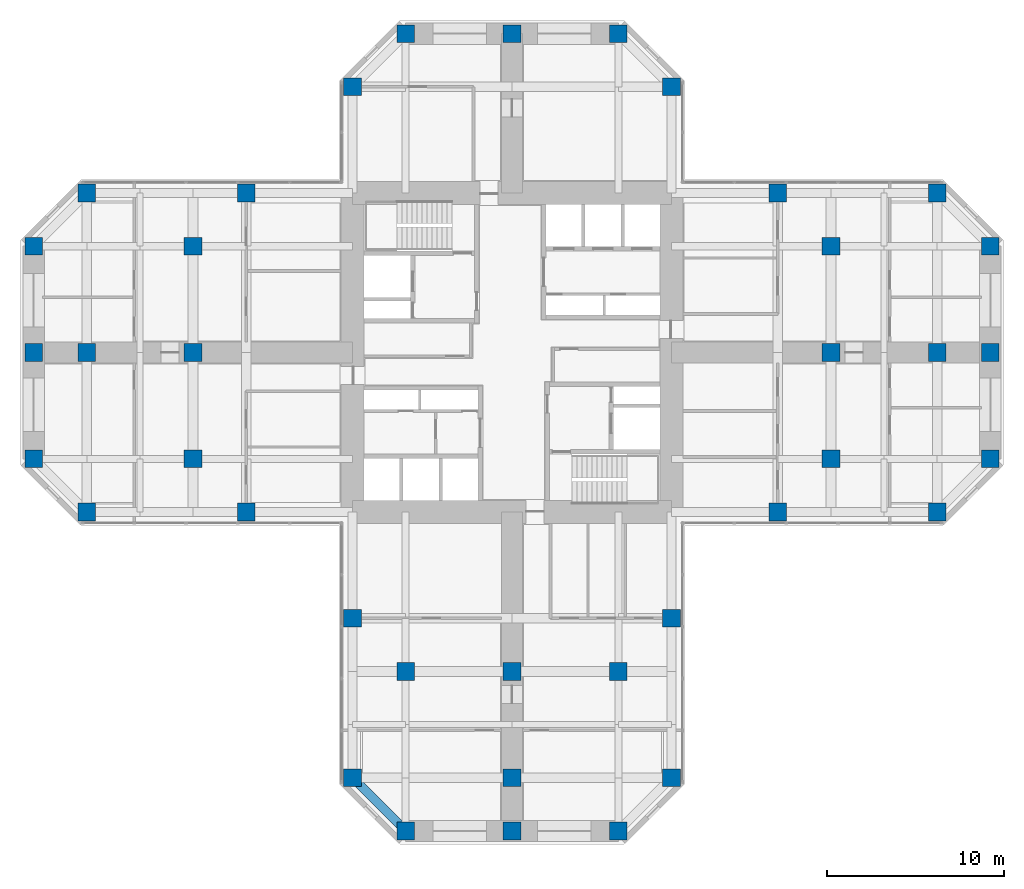
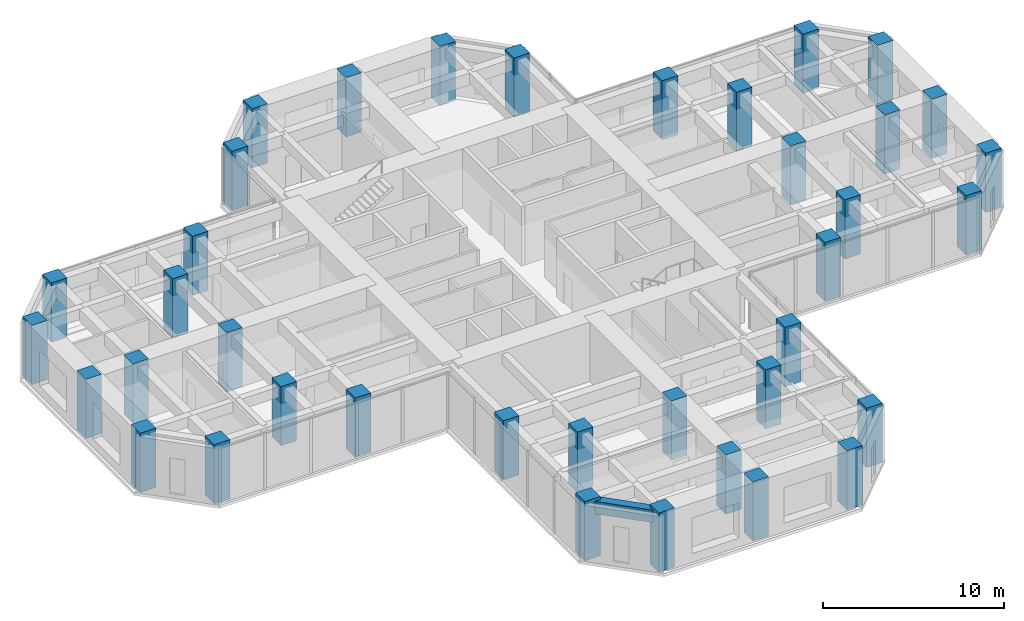
# One storey, part 1 of 13: 38 columns, 1 beam.
"""IFC4 building model written with IfcOpenShell, lengths in metres."""

from ifc_helpers import new_model, si_unit, direction, frame, origin, origin_2d, place, context, subcontext, project, spatial, rectangle, extrude, material, material_profile, profile_set, type_object, element, save


model = new_model("IFC4")

# Units and contexts
model_context = context("Model", 3, precision=1e-05, world=origin(), true_north=direction((0.0, 1.0)))
body_context = subcontext(model_context, "Body", "Model", "MODEL_VIEW")
ifc_project = project(units=[si_unit("LENGTHUNIT", "METRE"), si_unit("AREAUNIT", "SQUARE_METRE"), si_unit("VOLUMEUNIT", "CUBIC_METRE"), si_unit("PLANEANGLEUNIT", "RADIAN"), si_unit("MASSUNIT", "GRAM", prefix="KILO")], contexts=[model_context])

# Site, building, storey
site_placement = place(None, origin())
site = spatial("IfcSite", under=ifc_project, at=site_placement, CompositionType="ELEMENT")
building_placement = place(site_placement, origin())
building = spatial("IfcBuilding", under=site, at=building_placement, Name="Torre Cruceta", CompositionType="ELEMENT")
storey_placement = place(building_placement, frame((0.0, 0.0, 124.5)))
storey = spatial("IfcBuildingStorey", under=building, at=storey_placement, Name="L30", CompositionType="ELEMENT", Elevation=124.5)

# Columns
ifc_material_1 = material(Name="Concrete G60 (fck 60 MPa)", Category="concrete")
ifc_material_profile_1 = material_profile(ifc_material_1, rectangle(XDim=1.0, YDim=1.0, at=origin_2d()), Name="RC 1000X1000")
ifc_profile_set_1 = profile_set([ifc_material_profile_1], Name="Concrete G60 (fck 60 MPa)")
column_type = type_object("IfcColumnType", Name="COLUMN RC 1000X1000", PredefinedType="COLUMN", material=ifc_profile_set_1)
for number, where, z_axis, x_axis, name in (
    (1, (9.0, 15.0, 0.0), (0.0, 0.0, 1.0), (1.0, 0.0, 0.0), "C5 L30 N chamfer"),
    (2, (-9.0, 15.0, 0.0), (0.0, 0.0, 1.0), (1.0, 0.0, 0.0), "C5 L30 N chamfer"),
    (3, (6.0, 18.0, 0.0), (0.0, 0.0, 1.0), (1.0, 0.0, 0.0), "C5 L30 N tip"),
    (4, (0.0, 18.0, 0.0), (0.0, 0.0, 1.0), (1.0, 0.0, 0.0), "C5 L30 N tip"),
    (5, (-6.0, 18.0, 0.0), (0.0, 0.0, 1.0), (1.0, 0.0, 0.0), "C5 L30 N tip"),
    (6, (15.0, -9.0, 0.0), (0.0, 0.0, 1.0), (1.0, 0.0, 0.0), "C5 L30 E side"),
    (7, (24.0, -9.0, 0.0), (0.0, 0.0, 1.0), (1.0, 0.0, 0.0), "C5 L30 E chamfer"),
    (8, (15.0, 9.0, 0.0), (0.0, 0.0, 1.0), (1.0, 0.0, 0.0), "C5 L30 E side"),
    (9, (24.0, 9.0, 0.0), (0.0, 0.0, 1.0), (1.0, 0.0, 0.0), "C5 L30 E chamfer"),
    (10, (27.0, -6.0, 0.0), (0.0, 0.0, 1.0), (1.0, 0.0, 0.0), "C5 L30 E tip"),
    (11, (27.0, 0.0, 0.0), (0.0, 0.0, 1.0), (1.0, 0.0, 0.0), "C5 L30 E tip"),
    (12, (27.0, 6.0, 0.0), (0.0, 0.0, 1.0), (1.0, 0.0, 0.0), "C5 L30 E tip"),
    (13, (-9.0, -15.0, 0.0), (0.0, 0.0, 1.0), (1.0, 0.0, 0.0), "C5 L30 S side"),
    (14, (-9.0, -24.0, 0.0), (0.0, 0.0, 1.0), (1.0, 0.0, 0.0), "C5 L30 S chamfer"),
    (15, (9.0, -15.0, 0.0), (0.0, 0.0, 1.0), (1.0, 0.0, 0.0), "C5 L30 S side"),
    (16, (9.0, -24.0, 0.0), (0.0, 0.0, 1.0), (1.0, 0.0, 0.0), "C5 L30 S chamfer"),
    (17, (-6.0, -27.0, 0.0), (0.0, 0.0, 1.0), (1.0, 0.0, 0.0), "C5 L30 S tip"),
    (18, (0.0, -27.0, 0.0), (0.0, 0.0, 1.0), (1.0, 0.0, 0.0), "C5 L30 S tip"),
    (19, (6.0, -27.0, 0.0), (0.0, 0.0, 1.0), (1.0, 0.0, 0.0), "C5 L30 S tip"),
    (20, (-15.0, 9.0, 0.0), (0.0, 0.0, 1.0), (1.0, 0.0, 0.0), "C5 L30 W side"),
    (21, (-24.0, 9.0, 0.0), (0.0, 0.0, 1.0), (1.0, 0.0, 0.0), "C5 L30 W chamfer"),
    (22, (-15.0, -9.0, 0.0), (0.0, 0.0, 1.0), (1.0, 0.0, 0.0), "C5 L30 W side"),
    (23, (-24.0, -9.0, 0.0), (0.0, 0.0, 1.0), (1.0, 0.0, 0.0), "C5 L30 W chamfer"),
    (24, (-27.0, 6.0, 0.0), (0.0, 0.0, 1.0), (1.0, 0.0, 0.0), "C5 L30 W tip"),
    (25, (-27.0, 0.0, 0.0), (0.0, 0.0, 1.0), (1.0, 0.0, 0.0), "C5 L30 W tip"),
    (26, (-27.0, -6.0, 0.0), (0.0, 0.0, 1.0), (1.0, 0.0, 0.0), "C5 L30 W tip"),
    (27, (18.0, -6.0, 0.0), (0.0, 0.0, 1.0), (1.0, 0.0, 0.0), "C5 L30 E interior"),
    (28, (18.0, 0.0, 0.0), (0.0, 0.0, 1.0), (1.0, 0.0, 0.0), "C5 L30 E interior"),
    (29, (18.0, 6.0, 0.0), (0.0, 0.0, 1.0), (1.0, 0.0, 0.0), "C5 L30 E interior"),
    (30, (24.0, 0.0, 0.0), (0.0, 0.0, 1.0), (1.0, 0.0, 0.0), "C5 L30 E interior"),
    (31, (-6.0, -18.0, 0.0), (0.0, 0.0, 1.0), (1.0, 0.0, 0.0), "C5 L30 S interior"),
    (32, (0.0, -18.0, 0.0), (0.0, 0.0, 1.0), (1.0, 0.0, 0.0), "C5 L30 S interior"),
    (33, (6.0, -18.0, 0.0), (0.0, 0.0, 1.0), (1.0, 0.0, 0.0), "C5 L30 S interior"),
    (34, (0.0, -24.0, 0.0), (0.0, 0.0, 1.0), (1.0, 0.0, 0.0), "C5 L30 S interior"),
    (35, (-18.0, 6.0, 0.0), (0.0, 0.0, 1.0), (1.0, 0.0, 0.0), "C5 L30 W interior"),
    (36, (-18.0, 0.0, 0.0), (0.0, 0.0, 1.0), (1.0, 0.0, 0.0), "C5 L30 W interior"),
    (37, (-18.0, -6.0, 0.0), (0.0, 0.0, 1.0), (1.0, 0.0, 0.0), "C5 L30 W interior"),
    (38, (-24.0, 0.0, 0.0), (0.0, 0.0, 1.0), (1.0, 0.0, 0.0), "C5 L30 W interior"),
):
    element("IfcColumn", number, at=place(storey_placement, frame(where, z_axis=z_axis, x_axis=x_axis)), inside=storey, type_object=column_type, Name=name, PredefinedType="COLUMN", context=body_context, shape_type="SweptSolid", body=[
        extrude(rectangle(XDim=1.0, YDim=1.0, at=origin_2d()), origin(), (0.0, 0.0, 1.0), 4.0),
    ])

# Beam
ifc_material_2 = material(Name="Concrete G60 (fck 60 MPa)", Category="concrete")
ifc_material_profile_2 = material_profile(ifc_material_2, rectangle(XDim=0.5, YDim=0.85009765625, at=origin_2d()), Name="RC 500X850")
ifc_profile_set_2 = profile_set([ifc_material_profile_2], Name="Concrete G60 (fck 60 MPa)")
beam_type = type_object("IfcBeamType", Name="SPANDREL BEAM RC 500X850", PredefinedType="SPANDREL", material=ifc_profile_set_2)
beam_placement = place(storey_placement, frame((-9.0, -24.0, 3.375), z_axis=(0.707106781187, -0.707106781187, 0.0), x_axis=(0.707106781187, 0.707106781187, 0.0)))
element("IfcBeam", 39, at=beam_placement, inside=storey, type_object=beam_type, Name="SB5 L30 S side- 5", PredefinedType="SPANDREL", context=body_context, shape_type="SweptSolid", body=[
    extrude(rectangle(XDim=0.5, YDim=0.85009765625, at=origin_2d()), origin(), (0.0, 0.0, 1.0), 4.24267578125),
])

save(model, "model.ifc")
